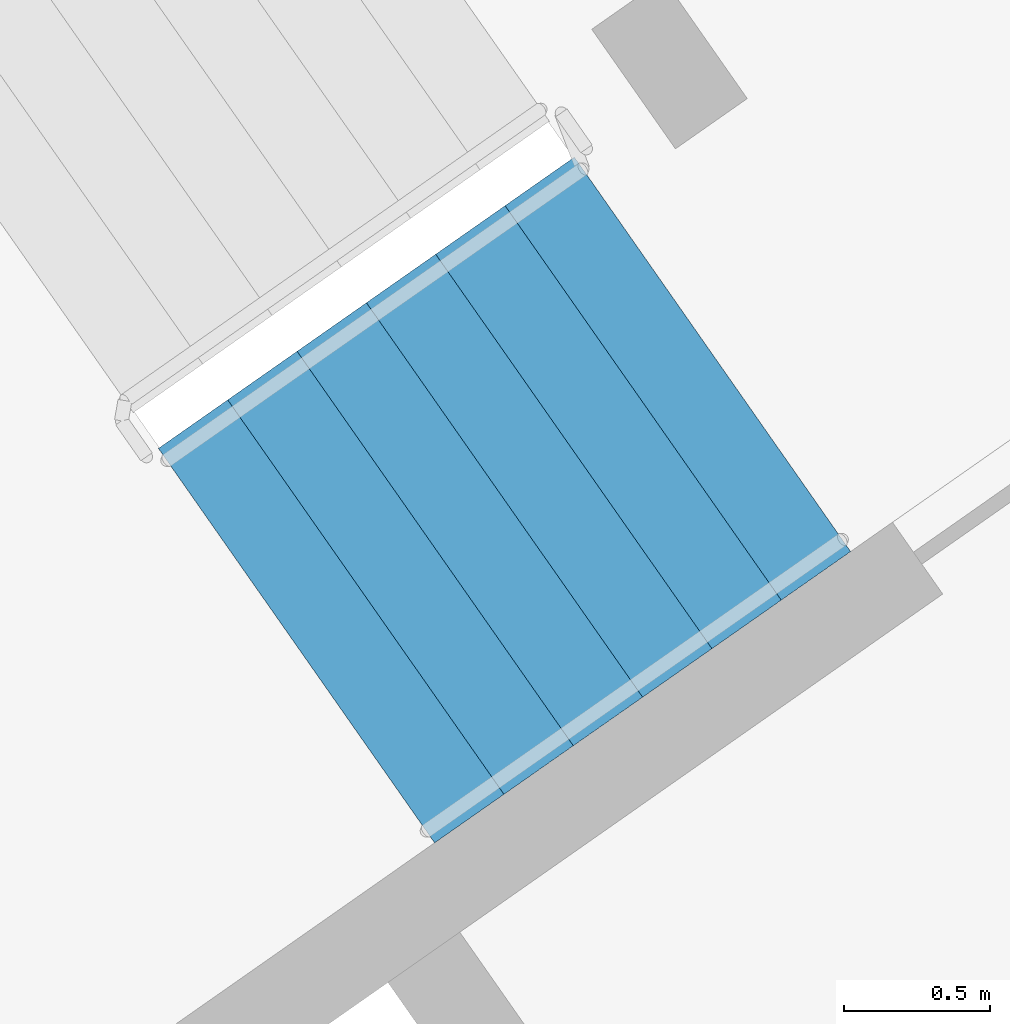
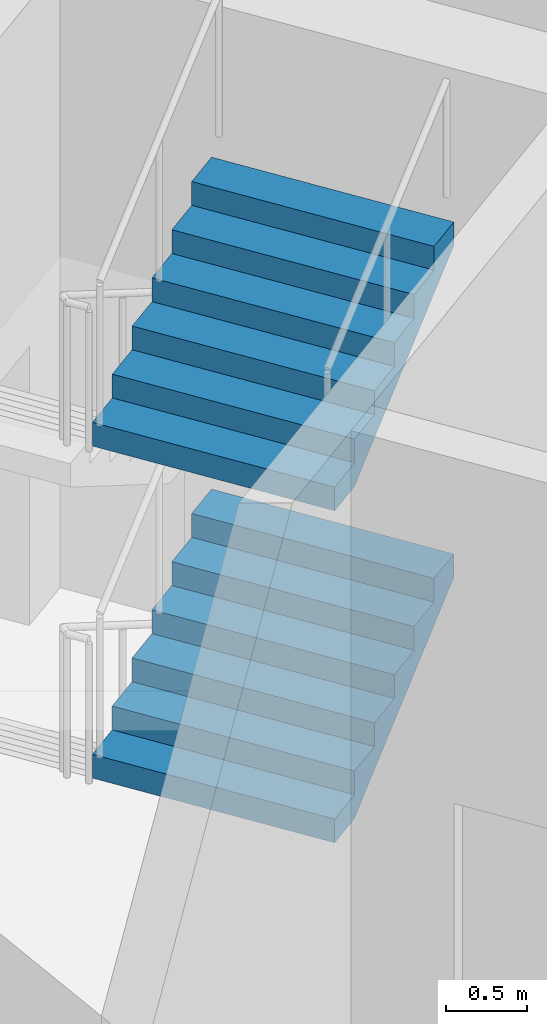
# One storey, part 19 of 24: 2 stair flights, 1 element without a shape of its own.
"""IFC4 building model written with IfcOpenShell, lengths in metres."""

from ifc_helpers import new_model, si_unit, direction, frame, origin, place, context, subcontext, project, spatial, faceted_brep, material, type_object, element, aggregate, save


model = new_model("IFC4")

# Units and contexts
model_context = context("Model", 3, precision=1e-05, world=origin(), true_north=direction((0.0, 1.0)))
body_context = subcontext(model_context, "Body", "Model", "MODEL_VIEW")
ifc_project = project(units=[si_unit("LENGTHUNIT", "METRE"), si_unit("AREAUNIT", "SQUARE_METRE"), si_unit("VOLUMEUNIT", "CUBIC_METRE"), si_unit("PLANEANGLEUNIT", "RADIAN"), si_unit("MASSUNIT", "GRAM", prefix="KILO")], contexts=[model_context])

# Site, building, storey
site_placement = place(None, origin())
site = spatial("IfcSite", under=ifc_project, at=site_placement, CompositionType="ELEMENT")
building_placement = place(site_placement, origin())
building = spatial("IfcBuilding", under=site, at=building_placement, Name="Qamariyya Broadcast Tower", CompositionType="ELEMENT")
storey_placement = place(building_placement, frame((0.0, 0.0, 198.699951171875)))
storey = spatial("IfcBuildingStorey", under=building, at=storey_placement, Name="L47", CompositionType="ELEMENT", Elevation=198.699951171875)

# Stair, stair flights
ifc_material = material(Name="Concrete C50/60", Category="concrete")
stair_type = type_object("IfcStairType", Name="Exit stair 28 risers of 179 mm", PredefinedType="HALF_TURN_STAIR", material=ifc_material)
stair_placement = place(storey_placement, origin())
stair = element("IfcStair", 1, at=stair_placement, inside=storey, type_object=stair_type, Name="L47 Stair E2", PredefinedType="HALF_TURN_STAIR")
stair_flight_type = type_object("IfcStairFlightType", Name="Exit stair flight 7 risers of 179 mm", PredefinedType="STRAIGHT", material=ifc_material)
stair_flight_1_placement = place(storey_placement, frame((40.165771484375, -50.15771484375, 1.25), z_axis=(0.0, 0.0, 1.0), x_axis=(0.819152044289, 0.573576436351, 0.0)))
stair_flight_1 = element("IfcStairFlight", 2, at=stair_flight_1_placement, type_object=stair_flight_type, Name="ST-E2 flight 2", NumberOfRisers=7, NumberOfTreads=6, PredefinedType="STRAIGHT", RiserHeight=0.178571429, TreadLength=0.29, context=body_context, shape_type="Brep", body=[
    faceted_brep([(0.0, 0.824951171875, 0.0), (0.0, 0.824951171875, 0.178466796875), (0.2900390625, 0.824951171875, 0.178466796875), (0.2900390625, 0.824951171875, 0.357177734375), (0.580078125, 0.824951171875, 0.357177734375), (0.580078125, 0.824951171875, 0.53564453125), (0.8701171875, 0.824951171875, 0.53564453125), (0.8701171875, 0.824951171875, 0.71435546875), (1.159912109375, 0.824951171875, 0.71435546875), (1.159912109375, 0.824951171875, 0.892822265625), (1.449951171875, 0.824951171875, 0.892822265625), (1.449951171875, 0.824951171875, 1.071533203125), (1.739990234375, 0.824951171875, 1.071533203125), (1.739990234375, 0.824951171875, 0.8955078125), (0.285888671875, 0.824951171875, 0.0), (0.285888671875, -0.824951171875, 0.0), (1.739990234375, -0.824951171875, 0.8955078125), (1.739990234375, -0.824951171875, 1.071533203125), (1.449951171875, -0.824951171875, 1.071533203125), (1.449951171875, -0.824951171875, 0.892822265625), (1.159912109375, -0.824951171875, 0.892822265625), (1.159912109375, -0.824951171875, 0.71435546875), (0.8701171875, -0.824951171875, 0.71435546875), (0.8701171875, -0.824951171875, 0.53564453125), (0.580078125, -0.824951171875, 0.53564453125), (0.580078125, -0.824951171875, 0.357177734375), (0.2900390625, -0.824951171875, 0.357177734375), (0.2900390625, -0.824951171875, 0.178466796875), (0.0, -0.824951171875, 0.178466796875), (0.0, -0.824951171875, 0.0), (0.0, 0.10009765625, 0.0), (0.0, 0.086669921875, 0.0), (0.0, 0.0732421875, 0.0), (0.0, 0.06005859375, 0.0), (0.0, 0.046630859375, 0.0), (0.0, 0.033447265625, 0.0), (0.0, 0.02001953125, 0.0), (0.0, 0.006591796875, 0.0), (0.0, -0.006591796875, 0.0), (0.0, -0.02001953125, 0.0), (0.0, -0.033447265625, 0.0), (0.0, -0.046630859375, 0.0), (0.0, -0.06005859375, 0.0), (0.0, -0.0732421875, 0.0), (0.0, -0.086669921875, 0.0), (0.0, -0.10009765625, 0.0), (0.0, -0.10009765625, 0.178466796875), (0.0, -0.086669921875, 0.178466796875), (0.0, -0.0732421875, 0.178466796875), (0.0, -0.06005859375, 0.178466796875), (0.0, -0.046630859375, 0.178466796875), (0.0, -0.033447265625, 0.178466796875), (0.0, -0.02001953125, 0.178466796875), (0.0, -0.006591796875, 0.178466796875), (0.0, 0.006591796875, 0.178466796875), (0.0, 0.02001953125, 0.178466796875), (0.0, 0.033447265625, 0.178466796875), (0.0, 0.046630859375, 0.178466796875), (0.0, 0.06005859375, 0.178466796875), (0.0, 0.0732421875, 0.178466796875), (0.0, 0.086669921875, 0.178466796875), (0.0, 0.10009765625, 0.178466796875), (0.2900390625, -0.10009765625, 0.178466796875), (0.2900390625, -0.086669921875, 0.178466796875), (0.2900390625, -0.0732421875, 0.178466796875), (0.2900390625, -0.06005859375, 0.178466796875), (0.2900390625, -0.046630859375, 0.178466796875), (0.2900390625, -0.033447265625, 0.178466796875), (0.2900390625, -0.02001953125, 0.178466796875), (0.2900390625, -0.006591796875, 0.178466796875), (0.2900390625, 0.006591796875, 0.178466796875), (0.2900390625, 0.02001953125, 0.178466796875), (0.2900390625, 0.033447265625, 0.178466796875), (0.2900390625, 0.046630859375, 0.178466796875), (0.2900390625, 0.06005859375, 0.178466796875), (0.2900390625, 0.0732421875, 0.178466796875), (0.2900390625, 0.086669921875, 0.178466796875), (0.2900390625, 0.10009765625, 0.178466796875), (0.2900390625, -0.10009765625, 0.357177734375), (0.2900390625, -0.086669921875, 0.357177734375), (0.2900390625, -0.0732421875, 0.357177734375), (0.2900390625, -0.06005859375, 0.357177734375), (0.2900390625, -0.046630859375, 0.357177734375), (0.2900390625, -0.033447265625, 0.357177734375), (0.2900390625, -0.02001953125, 0.357177734375), (0.2900390625, -0.006591796875, 0.357177734375), (0.2900390625, 0.006591796875, 0.357177734375), (0.2900390625, 0.02001953125, 0.357177734375), (0.2900390625, 0.033447265625, 0.357177734375), (0.2900390625, 0.046630859375, 0.357177734375), (0.2900390625, 0.06005859375, 0.357177734375), (0.2900390625, 0.0732421875, 0.357177734375), (0.2900390625, 0.086669921875, 0.357177734375), (0.2900390625, 0.10009765625, 0.357177734375), (0.580078125, -0.10009765625, 0.357177734375), (0.580078125, -0.086669921875, 0.357177734375), (0.580078125, -0.0732421875, 0.357177734375), (0.580078125, -0.06005859375, 0.357177734375), (0.580078125, -0.046630859375, 0.357177734375), (0.580078125, -0.033447265625, 0.357177734375), (0.580078125, -0.02001953125, 0.357177734375), (0.580078125, -0.006591796875, 0.357177734375), (0.580078125, 0.006591796875, 0.357177734375), (0.580078125, 0.02001953125, 0.357177734375), (0.580078125, 0.033447265625, 0.357177734375), (0.580078125, 0.046630859375, 0.357177734375), (0.580078125, 0.06005859375, 0.357177734375), (0.580078125, 0.0732421875, 0.357177734375), (0.580078125, 0.086669921875, 0.357177734375), (0.580078125, 0.10009765625, 0.357177734375), (0.580078125, -0.10009765625, 0.53564453125), (0.580078125, -0.086669921875, 0.53564453125), (0.580078125, -0.0732421875, 0.53564453125), (0.580078125, -0.06005859375, 0.53564453125), (0.580078125, -0.046630859375, 0.53564453125), (0.580078125, -0.033447265625, 0.53564453125), (0.580078125, -0.02001953125, 0.53564453125), (0.580078125, -0.006591796875, 0.53564453125), (0.580078125, 0.006591796875, 0.53564453125), (0.580078125, 0.02001953125, 0.53564453125), (0.580078125, 0.033447265625, 0.53564453125), (0.580078125, 0.046630859375, 0.53564453125), (0.580078125, 0.06005859375, 0.53564453125), (0.580078125, 0.0732421875, 0.53564453125), (0.580078125, 0.086669921875, 0.53564453125), (0.580078125, 0.10009765625, 0.53564453125), (0.8701171875, -0.10009765625, 0.53564453125), (0.8701171875, -0.086669921875, 0.53564453125), (0.8701171875, -0.0732421875, 0.53564453125), (0.8701171875, -0.06005859375, 0.53564453125), (0.8701171875, -0.046630859375, 0.53564453125), (0.8701171875, -0.033447265625, 0.53564453125), (0.8701171875, -0.02001953125, 0.53564453125), (0.8701171875, -0.006591796875, 0.53564453125), (0.8701171875, 0.006591796875, 0.53564453125), (0.8701171875, 0.02001953125, 0.53564453125), (0.8701171875, 0.033447265625, 0.53564453125), (0.8701171875, 0.046630859375, 0.53564453125), (0.8701171875, 0.06005859375, 0.53564453125), (0.8701171875, 0.0732421875, 0.53564453125), (0.8701171875, 0.086669921875, 0.53564453125), (0.8701171875, 0.10009765625, 0.53564453125), (0.8701171875, -0.10009765625, 0.71435546875), (0.8701171875, -0.086669921875, 0.71435546875), (0.8701171875, -0.0732421875, 0.71435546875), (0.8701171875, -0.06005859375, 0.71435546875), (0.8701171875, -0.046630859375, 0.71435546875), (0.8701171875, -0.033447265625, 0.71435546875), (0.8701171875, -0.02001953125, 0.71435546875), (0.8701171875, -0.006591796875, 0.71435546875), (0.8701171875, 0.006591796875, 0.71435546875), (0.8701171875, 0.02001953125, 0.71435546875), (0.8701171875, 0.033447265625, 0.71435546875), (0.8701171875, 0.046630859375, 0.71435546875), (0.8701171875, 0.06005859375, 0.71435546875), (0.8701171875, 0.0732421875, 0.71435546875), (0.8701171875, 0.086669921875, 0.71435546875), (0.8701171875, 0.10009765625, 0.71435546875), (1.159912109375, -0.10009765625, 0.71435546875), (1.159912109375, -0.086669921875, 0.71435546875), (1.159912109375, -0.0732421875, 0.71435546875), (1.159912109375, -0.06005859375, 0.71435546875), (1.159912109375, -0.046630859375, 0.71435546875), (1.159912109375, -0.033447265625, 0.71435546875), (1.159912109375, -0.02001953125, 0.71435546875), (1.159912109375, -0.006591796875, 0.71435546875), (1.159912109375, 0.006591796875, 0.71435546875), (1.159912109375, 0.02001953125, 0.71435546875), (1.159912109375, 0.033447265625, 0.71435546875), (1.159912109375, 0.046630859375, 0.71435546875), (1.159912109375, 0.06005859375, 0.71435546875), (1.159912109375, 0.0732421875, 0.71435546875), (1.159912109375, 0.086669921875, 0.71435546875), (1.159912109375, 0.10009765625, 0.71435546875), (1.159912109375, -0.10009765625, 0.892822265625), (1.159912109375, -0.086669921875, 0.892822265625), (1.159912109375, -0.0732421875, 0.892822265625), (1.159912109375, -0.06005859375, 0.892822265625), (1.159912109375, -0.046630859375, 0.892822265625), (1.159912109375, -0.033447265625, 0.892822265625), (1.159912109375, -0.02001953125, 0.892822265625), (1.159912109375, -0.006591796875, 0.892822265625), (1.159912109375, 0.006591796875, 0.892822265625), (1.159912109375, 0.02001953125, 0.892822265625), (1.159912109375, 0.033447265625, 0.892822265625), (1.159912109375, 0.046630859375, 0.892822265625), (1.159912109375, 0.06005859375, 0.892822265625), (1.159912109375, 0.0732421875, 0.892822265625), (1.159912109375, 0.086669921875, 0.892822265625), (1.159912109375, 0.10009765625, 0.892822265625), (1.449951171875, -0.10009765625, 0.892822265625), (1.449951171875, -0.086669921875, 0.892822265625), (1.449951171875, -0.0732421875, 0.892822265625), (1.449951171875, -0.06005859375, 0.892822265625), (1.449951171875, -0.046630859375, 0.892822265625), (1.449951171875, -0.033447265625, 0.892822265625), (1.449951171875, -0.02001953125, 0.892822265625), (1.449951171875, -0.006591796875, 0.892822265625), (1.449951171875, 0.006591796875, 0.892822265625), (1.449951171875, 0.02001953125, 0.892822265625), (1.449951171875, 0.033447265625, 0.892822265625), (1.449951171875, 0.046630859375, 0.892822265625), (1.449951171875, 0.06005859375, 0.892822265625), (1.449951171875, 0.0732421875, 0.892822265625), (1.449951171875, 0.086669921875, 0.892822265625), (1.449951171875, 0.10009765625, 0.892822265625), (1.449951171875, -0.10009765625, 1.071533203125), (1.449951171875, -0.086669921875, 1.071533203125), (1.449951171875, -0.0732421875, 1.071533203125), (1.449951171875, -0.06005859375, 1.071533203125), (1.449951171875, -0.046630859375, 1.071533203125), (1.449951171875, -0.033447265625, 1.071533203125), (1.449951171875, -0.02001953125, 1.071533203125), (1.449951171875, -0.006591796875, 1.071533203125), (1.449951171875, 0.006591796875, 1.071533203125), (1.449951171875, 0.02001953125, 1.071533203125), (1.449951171875, 0.033447265625, 1.071533203125), (1.449951171875, 0.046630859375, 1.071533203125), (1.449951171875, 0.06005859375, 1.071533203125), (1.449951171875, 0.0732421875, 1.071533203125), (1.449951171875, 0.086669921875, 1.071533203125), (1.449951171875, 0.10009765625, 1.071533203125), (1.739990234375, -0.10009765625, 1.071533203125), (1.739990234375, -0.086669921875, 1.071533203125), (1.739990234375, -0.0732421875, 1.071533203125), (1.739990234375, -0.06005859375, 1.071533203125), (1.739990234375, -0.046630859375, 1.071533203125), (1.739990234375, -0.033447265625, 1.071533203125), (1.739990234375, -0.02001953125, 1.071533203125), (1.739990234375, -0.006591796875, 1.071533203125), (1.739990234375, 0.006591796875, 1.071533203125), (1.739990234375, 0.02001953125, 1.071533203125), (1.739990234375, 0.033447265625, 1.071533203125), (1.739990234375, 0.046630859375, 1.071533203125), (1.739990234375, 0.06005859375, 1.071533203125), (1.739990234375, 0.0732421875, 1.071533203125), (1.739990234375, 0.086669921875, 1.071533203125), (1.739990234375, 0.10009765625, 1.071533203125), (1.739990234375, -0.10009765625, 0.8955078125), (1.739990234375, -0.086669921875, 0.8955078125), (1.739990234375, -0.0732421875, 0.8955078125), (1.739990234375, -0.06005859375, 0.8955078125), (1.739990234375, -0.046630859375, 0.8955078125), (1.739990234375, -0.033447265625, 0.8955078125), (1.739990234375, -0.02001953125, 0.8955078125), (1.739990234375, -0.006591796875, 0.8955078125), (1.739990234375, 0.006591796875, 0.8955078125), (1.739990234375, 0.02001953125, 0.8955078125), (1.739990234375, 0.033447265625, 0.8955078125), (1.739990234375, 0.046630859375, 0.8955078125), (1.739990234375, 0.06005859375, 0.8955078125), (1.739990234375, 0.0732421875, 0.8955078125), (1.739990234375, 0.086669921875, 0.8955078125), (1.739990234375, 0.10009765625, 0.8955078125), (0.285888671875, -0.10009765625, 0.0), (0.285888671875, -0.086669921875, 0.0), (0.285888671875, -0.0732421875, 0.0), (0.285888671875, -0.06005859375, 0.0), (0.285888671875, -0.046630859375, 0.0), (0.285888671875, -0.033447265625, 0.0), (0.285888671875, -0.02001953125, 0.0), (0.285888671875, -0.006591796875, 0.0), (0.285888671875, 0.006591796875, 0.0), (0.285888671875, 0.02001953125, 0.0), (0.285888671875, 0.033447265625, 0.0), (0.285888671875, 0.046630859375, 0.0), (0.285888671875, 0.06005859375, 0.0), (0.285888671875, 0.0732421875, 0.0), (0.285888671875, 0.086669921875, 0.0), (0.285888671875, 0.10009765625, 0.0)], [[[0, 1, 2, 3, 4, 5, 6, 7, 8, 9, 10, 11, 12, 13, 14]], [[15, 16, 17, 18, 19, 20, 21, 22, 23, 24, 25, 26, 27, 28, 29]], [[0, 30, 31, 32, 33, 34, 35, 36, 37, 38, 39, 40, 41, 42, 43, 44, 45, 29, 28, 46, 47, 48, 49, 50, 51, 52, 53, 54, 55, 56, 57, 58, 59, 60, 61, 1]], [[1, 61, 60, 59, 58, 57, 56, 55, 54, 53, 52, 51, 50, 49, 48, 47, 46, 28, 27, 62, 63, 64, 65, 66, 67, 68, 69, 70, 71, 72, 73, 74, 75, 76, 77, 2]], [[2, 77, 76, 75, 74, 73, 72, 71, 70, 69, 68, 67, 66, 65, 64, 63, 62, 27, 26, 78, 79, 80, 81, 82, 83, 84, 85, 86, 87, 88, 89, 90, 91, 92, 93, 3]], [[3, 93, 92, 91, 90, 89, 88, 87, 86, 85, 84, 83, 82, 81, 80, 79, 78, 26, 25, 94, 95, 96, 97, 98, 99, 100, 101, 102, 103, 104, 105, 106, 107, 108, 109, 4]], [[4, 109, 108, 107, 106, 105, 104, 103, 102, 101, 100, 99, 98, 97, 96, 95, 94, 25, 24, 110, 111, 112, 113, 114, 115, 116, 117, 118, 119, 120, 121, 122, 123, 124, 125, 5]], [[5, 125, 124, 123, 122, 121, 120, 119, 118, 117, 116, 115, 114, 113, 112, 111, 110, 24, 23, 126, 127, 128, 129, 130, 131, 132, 133, 134, 135, 136, 137, 138, 139, 140, 141, 6]], [[6, 141, 140, 139, 138, 137, 136, 135, 134, 133, 132, 131, 130, 129, 128, 127, 126, 23, 22, 142, 143, 144, 145, 146, 147, 148, 149, 150, 151, 152, 153, 154, 155, 156, 157, 7]], [[7, 157, 156, 155, 154, 153, 152, 151, 150, 149, 148, 147, 146, 145, 144, 143, 142, 22, 21, 158, 159, 160, 161, 162, 163, 164, 165, 166, 167, 168, 169, 170, 171, 172, 173, 8]], [[8, 173, 172, 171, 170, 169, 168, 167, 166, 165, 164, 163, 162, 161, 160, 159, 158, 21, 20, 174, 175, 176, 177, 178, 179, 180, 181, 182, 183, 184, 185, 186, 187, 188, 189, 9]], [[9, 189, 188, 187, 186, 185, 184, 183, 182, 181, 180, 179, 178, 177, 176, 175, 174, 20, 19, 190, 191, 192, 193, 194, 195, 196, 197, 198, 199, 200, 201, 202, 203, 204, 205, 10]], [[10, 205, 204, 203, 202, 201, 200, 199, 198, 197, 196, 195, 194, 193, 192, 191, 190, 19, 18, 206, 207, 208, 209, 210, 211, 212, 213, 214, 215, 216, 217, 218, 219, 220, 221, 11]], [[11, 221, 220, 219, 218, 217, 216, 215, 214, 213, 212, 211, 210, 209, 208, 207, 206, 18, 17, 222, 223, 224, 225, 226, 227, 228, 229, 230, 231, 232, 233, 234, 235, 236, 237, 12]], [[12, 237, 236, 235, 234, 233, 232, 231, 230, 229, 228, 227, 226, 225, 224, 223, 222, 17, 16, 238, 239, 240, 241, 242, 243, 244, 245, 246, 247, 248, 249, 250, 251, 252, 253, 13]], [[13, 253, 252, 251, 250, 249, 248, 247, 246, 245, 244, 243, 242, 241, 240, 239, 238, 16, 15, 254, 255, 256, 257, 258, 259, 260, 261, 262, 263, 264, 265, 266, 267, 268, 269, 14]], [[14, 269, 268, 267, 266, 265, 264, 263, 262, 261, 260, 259, 258, 257, 256, 255, 254, 15, 29, 45, 44, 43, 42, 41, 40, 39, 38, 37, 36, 35, 34, 33, 32, 31, 30, 0]]]),
])
stair_flight_2_placement = place(storey_placement, frame((40.165771484375, -50.15771484375, 3.75), z_axis=(0.0, 0.0, 1.0), x_axis=(0.819152044289, 0.573576436351, 0.0)))
stair_flight_2 = element("IfcStairFlight", 3, at=stair_flight_2_placement, type_object=stair_flight_type, Name="ST-E2 flight 4", NumberOfRisers=7, NumberOfTreads=6, PredefinedType="STRAIGHT", RiserHeight=0.178571429, TreadLength=0.29, context=body_context, shape_type="Brep", body=[
    faceted_brep([(0.0, 0.824951171875, 0.0), (0.0, 0.824951171875, 0.178466796875), (0.2900390625, 0.824951171875, 0.178466796875), (0.2900390625, 0.824951171875, 0.357177734375), (0.580078125, 0.824951171875, 0.357177734375), (0.580078125, 0.824951171875, 0.53564453125), (0.8701171875, 0.824951171875, 0.53564453125), (0.8701171875, 0.824951171875, 0.71435546875), (1.159912109375, 0.824951171875, 0.71435546875), (1.159912109375, 0.824951171875, 0.892822265625), (1.449951171875, 0.824951171875, 0.892822265625), (1.449951171875, 0.824951171875, 1.071533203125), (1.739990234375, 0.824951171875, 1.071533203125), (1.739990234375, 0.824951171875, 0.8955078125), (0.285888671875, 0.824951171875, 0.0), (0.285888671875, -0.824951171875, 0.0), (1.739990234375, -0.824951171875, 0.8955078125), (1.739990234375, -0.824951171875, 1.071533203125), (1.449951171875, -0.824951171875, 1.071533203125), (1.449951171875, -0.824951171875, 0.892822265625), (1.159912109375, -0.824951171875, 0.892822265625), (1.159912109375, -0.824951171875, 0.71435546875), (0.8701171875, -0.824951171875, 0.71435546875), (0.8701171875, -0.824951171875, 0.53564453125), (0.580078125, -0.824951171875, 0.53564453125), (0.580078125, -0.824951171875, 0.357177734375), (0.2900390625, -0.824951171875, 0.357177734375), (0.2900390625, -0.824951171875, 0.178466796875), (0.0, -0.824951171875, 0.178466796875), (0.0, -0.824951171875, 0.0), (0.0, 0.10009765625, 0.0), (0.0, 0.086669921875, 0.0), (0.0, 0.0732421875, 0.0), (0.0, 0.06005859375, 0.0), (0.0, 0.046630859375, 0.0), (0.0, 0.033447265625, 0.0), (0.0, 0.02001953125, 0.0), (0.0, 0.006591796875, 0.0), (0.0, -0.006591796875, 0.0), (0.0, -0.02001953125, 0.0), (0.0, -0.033447265625, 0.0), (0.0, -0.046630859375, 0.0), (0.0, -0.06005859375, 0.0), (0.0, -0.0732421875, 0.0), (0.0, -0.086669921875, 0.0), (0.0, -0.10009765625, 0.0), (0.0, -0.10009765625, 0.178466796875), (0.0, -0.086669921875, 0.178466796875), (0.0, -0.0732421875, 0.178466796875), (0.0, -0.06005859375, 0.178466796875), (0.0, -0.046630859375, 0.178466796875), (0.0, -0.033447265625, 0.178466796875), (0.0, -0.02001953125, 0.178466796875), (0.0, -0.006591796875, 0.178466796875), (0.0, 0.006591796875, 0.178466796875), (0.0, 0.02001953125, 0.178466796875), (0.0, 0.033447265625, 0.178466796875), (0.0, 0.046630859375, 0.178466796875), (0.0, 0.06005859375, 0.178466796875), (0.0, 0.0732421875, 0.178466796875), (0.0, 0.086669921875, 0.178466796875), (0.0, 0.10009765625, 0.178466796875), (0.2900390625, -0.10009765625, 0.178466796875), (0.2900390625, -0.086669921875, 0.178466796875), (0.2900390625, -0.0732421875, 0.178466796875), (0.2900390625, -0.06005859375, 0.178466796875), (0.2900390625, -0.046630859375, 0.178466796875), (0.2900390625, -0.033447265625, 0.178466796875), (0.2900390625, -0.02001953125, 0.178466796875), (0.2900390625, -0.006591796875, 0.178466796875), (0.2900390625, 0.006591796875, 0.178466796875), (0.2900390625, 0.02001953125, 0.178466796875), (0.2900390625, 0.033447265625, 0.178466796875), (0.2900390625, 0.046630859375, 0.178466796875), (0.2900390625, 0.06005859375, 0.178466796875), (0.2900390625, 0.0732421875, 0.178466796875), (0.2900390625, 0.086669921875, 0.178466796875), (0.2900390625, 0.10009765625, 0.178466796875), (0.2900390625, -0.10009765625, 0.357177734375), (0.2900390625, -0.086669921875, 0.357177734375), (0.2900390625, -0.0732421875, 0.357177734375), (0.2900390625, -0.06005859375, 0.357177734375), (0.2900390625, -0.046630859375, 0.357177734375), (0.2900390625, -0.033447265625, 0.357177734375), (0.2900390625, -0.02001953125, 0.357177734375), (0.2900390625, -0.006591796875, 0.357177734375), (0.2900390625, 0.006591796875, 0.357177734375), (0.2900390625, 0.02001953125, 0.357177734375), (0.2900390625, 0.033447265625, 0.357177734375), (0.2900390625, 0.046630859375, 0.357177734375), (0.2900390625, 0.06005859375, 0.357177734375), (0.2900390625, 0.0732421875, 0.357177734375), (0.2900390625, 0.086669921875, 0.357177734375), (0.2900390625, 0.10009765625, 0.357177734375), (0.580078125, -0.10009765625, 0.357177734375), (0.580078125, -0.086669921875, 0.357177734375), (0.580078125, -0.0732421875, 0.357177734375), (0.580078125, -0.06005859375, 0.357177734375), (0.580078125, -0.046630859375, 0.357177734375), (0.580078125, -0.033447265625, 0.357177734375), (0.580078125, -0.02001953125, 0.357177734375), (0.580078125, -0.006591796875, 0.357177734375), (0.580078125, 0.006591796875, 0.357177734375), (0.580078125, 0.02001953125, 0.357177734375), (0.580078125, 0.033447265625, 0.357177734375), (0.580078125, 0.046630859375, 0.357177734375), (0.580078125, 0.06005859375, 0.357177734375), (0.580078125, 0.0732421875, 0.357177734375), (0.580078125, 0.086669921875, 0.357177734375), (0.580078125, 0.10009765625, 0.357177734375), (0.580078125, -0.10009765625, 0.53564453125), (0.580078125, -0.086669921875, 0.53564453125), (0.580078125, -0.0732421875, 0.53564453125), (0.580078125, -0.06005859375, 0.53564453125), (0.580078125, -0.046630859375, 0.53564453125), (0.580078125, -0.033447265625, 0.53564453125), (0.580078125, -0.02001953125, 0.53564453125), (0.580078125, -0.006591796875, 0.53564453125), (0.580078125, 0.006591796875, 0.53564453125), (0.580078125, 0.02001953125, 0.53564453125), (0.580078125, 0.033447265625, 0.53564453125), (0.580078125, 0.046630859375, 0.53564453125), (0.580078125, 0.06005859375, 0.53564453125), (0.580078125, 0.0732421875, 0.53564453125), (0.580078125, 0.086669921875, 0.53564453125), (0.580078125, 0.10009765625, 0.53564453125), (0.8701171875, -0.10009765625, 0.53564453125), (0.8701171875, -0.086669921875, 0.53564453125), (0.8701171875, -0.0732421875, 0.53564453125), (0.8701171875, -0.06005859375, 0.53564453125), (0.8701171875, -0.046630859375, 0.53564453125), (0.8701171875, -0.033447265625, 0.53564453125), (0.8701171875, -0.02001953125, 0.53564453125), (0.8701171875, -0.006591796875, 0.53564453125), (0.8701171875, 0.006591796875, 0.53564453125), (0.8701171875, 0.02001953125, 0.53564453125), (0.8701171875, 0.033447265625, 0.53564453125), (0.8701171875, 0.046630859375, 0.53564453125), (0.8701171875, 0.06005859375, 0.53564453125), (0.8701171875, 0.0732421875, 0.53564453125), (0.8701171875, 0.086669921875, 0.53564453125), (0.8701171875, 0.10009765625, 0.53564453125), (0.8701171875, -0.10009765625, 0.71435546875), (0.8701171875, -0.086669921875, 0.71435546875), (0.8701171875, -0.0732421875, 0.71435546875), (0.8701171875, -0.06005859375, 0.71435546875), (0.8701171875, -0.046630859375, 0.71435546875), (0.8701171875, -0.033447265625, 0.71435546875), (0.8701171875, -0.02001953125, 0.71435546875), (0.8701171875, -0.006591796875, 0.71435546875), (0.8701171875, 0.006591796875, 0.71435546875), (0.8701171875, 0.02001953125, 0.71435546875), (0.8701171875, 0.033447265625, 0.71435546875), (0.8701171875, 0.046630859375, 0.71435546875), (0.8701171875, 0.06005859375, 0.71435546875), (0.8701171875, 0.0732421875, 0.71435546875), (0.8701171875, 0.086669921875, 0.71435546875), (0.8701171875, 0.10009765625, 0.71435546875), (1.159912109375, -0.10009765625, 0.71435546875), (1.159912109375, -0.086669921875, 0.71435546875), (1.159912109375, -0.0732421875, 0.71435546875), (1.159912109375, -0.06005859375, 0.71435546875), (1.159912109375, -0.046630859375, 0.71435546875), (1.159912109375, -0.033447265625, 0.71435546875), (1.159912109375, -0.02001953125, 0.71435546875), (1.159912109375, -0.006591796875, 0.71435546875), (1.159912109375, 0.006591796875, 0.71435546875), (1.159912109375, 0.02001953125, 0.71435546875), (1.159912109375, 0.033447265625, 0.71435546875), (1.159912109375, 0.046630859375, 0.71435546875), (1.159912109375, 0.06005859375, 0.71435546875), (1.159912109375, 0.0732421875, 0.71435546875), (1.159912109375, 0.086669921875, 0.71435546875), (1.159912109375, 0.10009765625, 0.71435546875), (1.159912109375, -0.10009765625, 0.892822265625), (1.159912109375, -0.086669921875, 0.892822265625), (1.159912109375, -0.0732421875, 0.892822265625), (1.159912109375, -0.06005859375, 0.892822265625), (1.159912109375, -0.046630859375, 0.892822265625), (1.159912109375, -0.033447265625, 0.892822265625), (1.159912109375, -0.02001953125, 0.892822265625), (1.159912109375, -0.006591796875, 0.892822265625), (1.159912109375, 0.006591796875, 0.892822265625), (1.159912109375, 0.02001953125, 0.892822265625), (1.159912109375, 0.033447265625, 0.892822265625), (1.159912109375, 0.046630859375, 0.892822265625), (1.159912109375, 0.06005859375, 0.892822265625), (1.159912109375, 0.0732421875, 0.892822265625), (1.159912109375, 0.086669921875, 0.892822265625), (1.159912109375, 0.10009765625, 0.892822265625), (1.449951171875, -0.10009765625, 0.892822265625), (1.449951171875, -0.086669921875, 0.892822265625), (1.449951171875, -0.0732421875, 0.892822265625), (1.449951171875, -0.06005859375, 0.892822265625), (1.449951171875, -0.046630859375, 0.892822265625), (1.449951171875, -0.033447265625, 0.892822265625), (1.449951171875, -0.02001953125, 0.892822265625), (1.449951171875, -0.006591796875, 0.892822265625), (1.449951171875, 0.006591796875, 0.892822265625), (1.449951171875, 0.02001953125, 0.892822265625), (1.449951171875, 0.033447265625, 0.892822265625), (1.449951171875, 0.046630859375, 0.892822265625), (1.449951171875, 0.06005859375, 0.892822265625), (1.449951171875, 0.0732421875, 0.892822265625), (1.449951171875, 0.086669921875, 0.892822265625), (1.449951171875, 0.10009765625, 0.892822265625), (1.449951171875, -0.10009765625, 1.071533203125), (1.449951171875, -0.086669921875, 1.071533203125), (1.449951171875, -0.0732421875, 1.071533203125), (1.449951171875, -0.06005859375, 1.071533203125), (1.449951171875, -0.046630859375, 1.071533203125), (1.449951171875, -0.033447265625, 1.071533203125), (1.449951171875, -0.02001953125, 1.071533203125), (1.449951171875, -0.006591796875, 1.071533203125), (1.449951171875, 0.006591796875, 1.071533203125), (1.449951171875, 0.02001953125, 1.071533203125), (1.449951171875, 0.033447265625, 1.071533203125), (1.449951171875, 0.046630859375, 1.071533203125), (1.449951171875, 0.06005859375, 1.071533203125), (1.449951171875, 0.0732421875, 1.071533203125), (1.449951171875, 0.086669921875, 1.071533203125), (1.449951171875, 0.10009765625, 1.071533203125), (1.739990234375, -0.10009765625, 1.071533203125), (1.739990234375, -0.086669921875, 1.071533203125), (1.739990234375, -0.0732421875, 1.071533203125), (1.739990234375, -0.06005859375, 1.071533203125), (1.739990234375, -0.046630859375, 1.071533203125), (1.739990234375, -0.033447265625, 1.071533203125), (1.739990234375, -0.02001953125, 1.071533203125), (1.739990234375, -0.006591796875, 1.071533203125), (1.739990234375, 0.006591796875, 1.071533203125), (1.739990234375, 0.02001953125, 1.071533203125), (1.739990234375, 0.033447265625, 1.071533203125), (1.739990234375, 0.046630859375, 1.071533203125), (1.739990234375, 0.06005859375, 1.071533203125), (1.739990234375, 0.0732421875, 1.071533203125), (1.739990234375, 0.086669921875, 1.071533203125), (1.739990234375, 0.10009765625, 1.071533203125), (1.739990234375, -0.10009765625, 0.8955078125), (1.739990234375, -0.086669921875, 0.8955078125), (1.739990234375, -0.0732421875, 0.8955078125), (1.739990234375, -0.06005859375, 0.8955078125), (1.739990234375, -0.046630859375, 0.8955078125), (1.739990234375, -0.033447265625, 0.8955078125), (1.739990234375, -0.02001953125, 0.8955078125), (1.739990234375, -0.006591796875, 0.8955078125), (1.739990234375, 0.006591796875, 0.8955078125), (1.739990234375, 0.02001953125, 0.8955078125), (1.739990234375, 0.033447265625, 0.8955078125), (1.739990234375, 0.046630859375, 0.8955078125), (1.739990234375, 0.06005859375, 0.8955078125), (1.739990234375, 0.0732421875, 0.8955078125), (1.739990234375, 0.086669921875, 0.8955078125), (1.739990234375, 0.10009765625, 0.8955078125), (0.285888671875, -0.10009765625, 0.0), (0.285888671875, -0.086669921875, 0.0), (0.285888671875, -0.0732421875, 0.0), (0.285888671875, -0.06005859375, 0.0), (0.285888671875, -0.046630859375, 0.0), (0.285888671875, -0.033447265625, 0.0), (0.285888671875, -0.02001953125, 0.0), (0.285888671875, -0.006591796875, 0.0), (0.285888671875, 0.006591796875, 0.0), (0.285888671875, 0.02001953125, 0.0), (0.285888671875, 0.033447265625, 0.0), (0.285888671875, 0.046630859375, 0.0), (0.285888671875, 0.06005859375, 0.0), (0.285888671875, 0.0732421875, 0.0), (0.285888671875, 0.086669921875, 0.0), (0.285888671875, 0.10009765625, 0.0)], [[[0, 1, 2, 3, 4, 5, 6, 7, 8, 9, 10, 11, 12, 13, 14]], [[15, 16, 17, 18, 19, 20, 21, 22, 23, 24, 25, 26, 27, 28, 29]], [[0, 30, 31, 32, 33, 34, 35, 36, 37, 38, 39, 40, 41, 42, 43, 44, 45, 29, 28, 46, 47, 48, 49, 50, 51, 52, 53, 54, 55, 56, 57, 58, 59, 60, 61, 1]], [[1, 61, 60, 59, 58, 57, 56, 55, 54, 53, 52, 51, 50, 49, 48, 47, 46, 28, 27, 62, 63, 64, 65, 66, 67, 68, 69, 70, 71, 72, 73, 74, 75, 76, 77, 2]], [[2, 77, 76, 75, 74, 73, 72, 71, 70, 69, 68, 67, 66, 65, 64, 63, 62, 27, 26, 78, 79, 80, 81, 82, 83, 84, 85, 86, 87, 88, 89, 90, 91, 92, 93, 3]], [[3, 93, 92, 91, 90, 89, 88, 87, 86, 85, 84, 83, 82, 81, 80, 79, 78, 26, 25, 94, 95, 96, 97, 98, 99, 100, 101, 102, 103, 104, 105, 106, 107, 108, 109, 4]], [[4, 109, 108, 107, 106, 105, 104, 103, 102, 101, 100, 99, 98, 97, 96, 95, 94, 25, 24, 110, 111, 112, 113, 114, 115, 116, 117, 118, 119, 120, 121, 122, 123, 124, 125, 5]], [[5, 125, 124, 123, 122, 121, 120, 119, 118, 117, 116, 115, 114, 113, 112, 111, 110, 24, 23, 126, 127, 128, 129, 130, 131, 132, 133, 134, 135, 136, 137, 138, 139, 140, 141, 6]], [[6, 141, 140, 139, 138, 137, 136, 135, 134, 133, 132, 131, 130, 129, 128, 127, 126, 23, 22, 142, 143, 144, 145, 146, 147, 148, 149, 150, 151, 152, 153, 154, 155, 156, 157, 7]], [[7, 157, 156, 155, 154, 153, 152, 151, 150, 149, 148, 147, 146, 145, 144, 143, 142, 22, 21, 158, 159, 160, 161, 162, 163, 164, 165, 166, 167, 168, 169, 170, 171, 172, 173, 8]], [[8, 173, 172, 171, 170, 169, 168, 167, 166, 165, 164, 163, 162, 161, 160, 159, 158, 21, 20, 174, 175, 176, 177, 178, 179, 180, 181, 182, 183, 184, 185, 186, 187, 188, 189, 9]], [[9, 189, 188, 187, 186, 185, 184, 183, 182, 181, 180, 179, 178, 177, 176, 175, 174, 20, 19, 190, 191, 192, 193, 194, 195, 196, 197, 198, 199, 200, 201, 202, 203, 204, 205, 10]], [[10, 205, 204, 203, 202, 201, 200, 199, 198, 197, 196, 195, 194, 193, 192, 191, 190, 19, 18, 206, 207, 208, 209, 210, 211, 212, 213, 214, 215, 216, 217, 218, 219, 220, 221, 11]], [[11, 221, 220, 219, 218, 217, 216, 215, 214, 213, 212, 211, 210, 209, 208, 207, 206, 18, 17, 222, 223, 224, 225, 226, 227, 228, 229, 230, 231, 232, 233, 234, 235, 236, 237, 12]], [[12, 237, 236, 235, 234, 233, 232, 231, 230, 229, 228, 227, 226, 225, 224, 223, 222, 17, 16, 238, 239, 240, 241, 242, 243, 244, 245, 246, 247, 248, 249, 250, 251, 252, 253, 13]], [[13, 253, 252, 251, 250, 249, 248, 247, 246, 245, 244, 243, 242, 241, 240, 239, 238, 16, 15, 254, 255, 256, 257, 258, 259, 260, 261, 262, 263, 264, 265, 266, 267, 268, 269, 14]], [[14, 269, 268, 267, 266, 265, 264, 263, 262, 261, 260, 259, 258, 257, 256, 255, 254, 15, 29, 45, 44, 43, 42, 41, 40, 39, 38, 37, 36, 35, 34, 33, 32, 31, 30, 0]]]),
])
aggregate(stair, [stair_flight_1, stair_flight_2])

save(model, "model.ifc")
